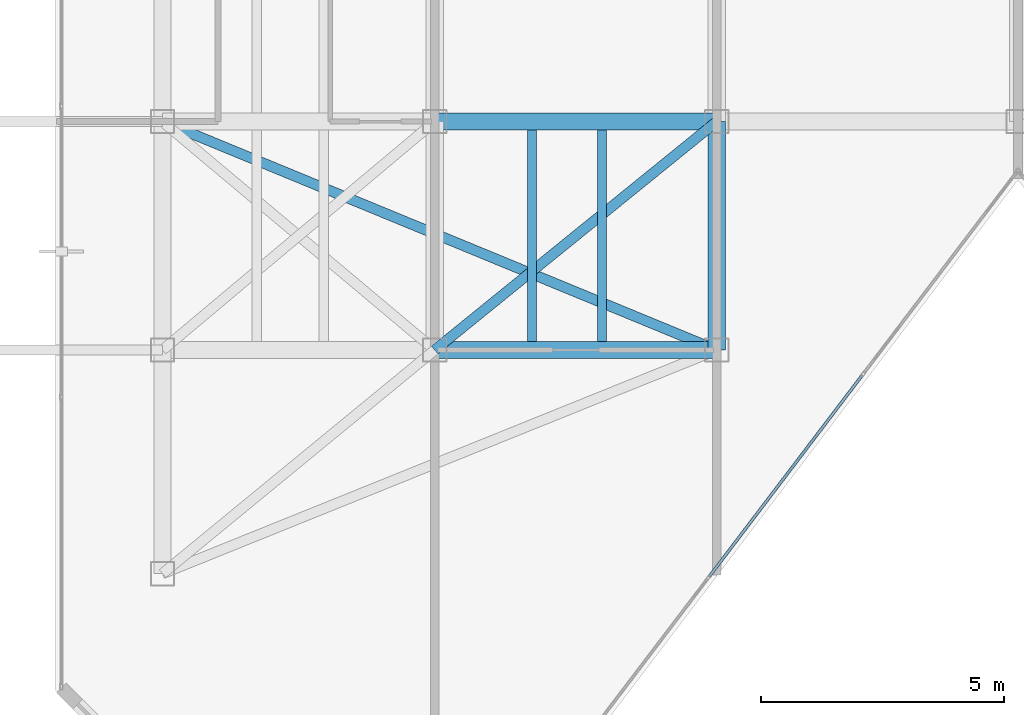
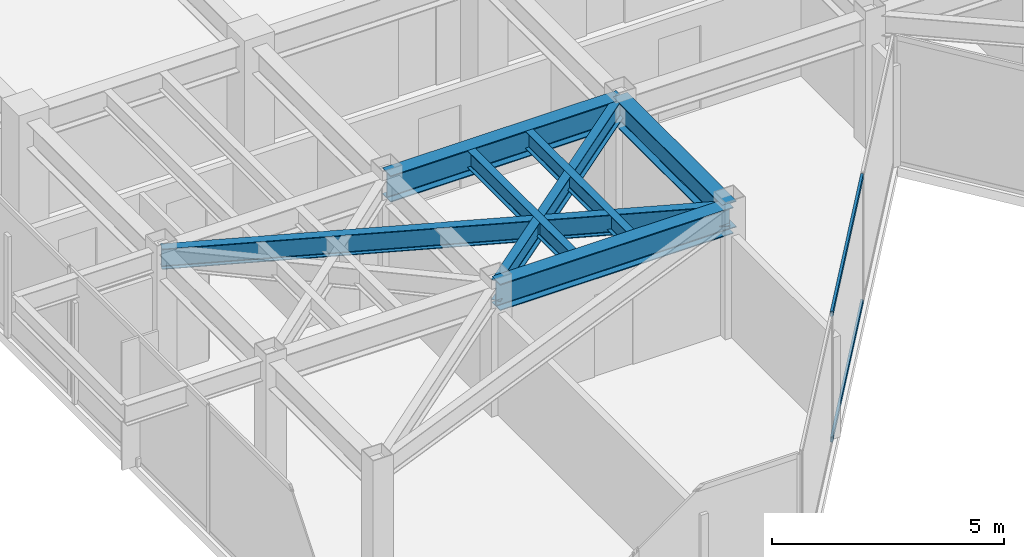
# One storey, part 6 of 20: 7 beams, 2 members, 1 element without a shape of its own.
"""IFC4 building model written with IfcOpenShell, lengths in metres."""

import ifcopenshell
import ifcopenshell.guid

model = None  # the IFC model being written
_history = None  # IfcOwnerHistory: only IFC2X3 demands one
_inside = {}  # id of a spatial element -> (the spatial element, [elements in it])
_under = {}  # id of a project, library or spatial element -> (it, [spatial elements below it])
_declared = {}  # id of a project -> (the project, [libraries it declares])
_typed = {}  # id of a type object -> (the type object, [elements of that type])
_made_of = {}  # id of a material, layer set ... -> (it, [elements and type objects made of it])


def new_model(schema):
    """Start an empty IFC model of exactly this schema.

    Asked for "IFC4X3", IfcOpenShell would pick the latest addendum, in which some entities
    have other attributes; the version numbers below select the first issue.
    IFC2X3 requires an IfcOwnerHistory on every rooted entity: one is made here for all.
    """
    global model, _history
    if schema == "IFC4X3":
        model = ifcopenshell.file(schema_version=(4, 3, 0, 0))
    else:
        model = ifcopenshell.file(schema=schema)
    _inside.clear()
    _under.clear()
    _declared.clear()
    _typed.clear()
    _made_of.clear()
    _history = None
    if model.schema == "IFC2X3":
        org = make("IfcOrganization", Name="unknown")
        user = make(
            "IfcPersonAndOrganization",
            ThePerson=make("IfcPerson", FamilyName="unknown"),
            TheOrganization=org,
        )
        app = make(
            "IfcApplication",
            ApplicationDeveloper=org,
            Version="unknown",
            ApplicationFullName="unknown",
            ApplicationIdentifier="unknown",
        )
        _history = make(
            "IfcOwnerHistory",
            OwningUser=user,
            OwningApplication=app,
            ChangeAction="ADDED",
            CreationDate=0,
        )
    return model


def make(cls, **values):
    """One entity of the class cls with the attributes given. An attribute that is None is left unset."""
    return model.create_entity(
        cls, **{name: value for name, value in values.items() if value is not None}
    )


def rooted(cls, **values):
    """An entity with a GlobalId (a new one), such as an element, a storey or a relation."""
    return make(cls, GlobalId=ifcopenshell.guid.new(), OwnerHistory=_history, **values)


def si_unit(unit_type, name, prefix=None):
    """IfcSIUnit, for example si_unit("LENGTHUNIT", "METRE", prefix="MILLI")."""
    return make("IfcSIUnit", UnitType=unit_type, Prefix=prefix, Name=name)


def assignment(units):
    """IfcUnitAssignment: the units of a project."""
    return None if units is None else make("IfcUnitAssignment", Units=units)


def point(xyz):
    """IfcCartesianPoint."""
    return None if xyz is None else make("IfcCartesianPoint", Coordinates=xyz)


def direction(xyz):
    """IfcDirection."""
    return None if xyz is None else make("IfcDirection", DirectionRatios=xyz)


def frame(location, z_axis=None, x_axis=None):
    """IfcAxis2Placement3D, a coordinate frame: its origin and axes. An axis left out is left unset."""
    return make(
        "IfcAxis2Placement3D",
        Location=point(location),
        Axis=direction(z_axis),
        RefDirection=direction(x_axis),
    )


def frame_2d(location, x_axis=None):
    """IfcAxis2Placement2D, a coordinate frame in the plane: its origin and x axis."""
    return make(
        "IfcAxis2Placement2D", Location=point(location), RefDirection=direction(x_axis)
    )


def origin():
    """The frame at (0, 0, 0) with its axes left unset."""
    return frame((0.0, 0.0, 0.0))


def origin_2d():
    """The frame at (0, 0) in the plane with its x axis left unset."""
    return frame_2d((0.0, 0.0))


def place(relative_to, where):
    """IfcLocalPlacement: puts the frame where relative to a parent placement (None: the world)."""
    return make(
        "IfcLocalPlacement", PlacementRelTo=relative_to, RelativePlacement=where
    )


def context(
    kind, dimensions, precision=None, world=None, true_north=None, identifier=None
):
    """IfcGeometricRepresentationContext, for example the 3D "Model" context."""
    return make(
        "IfcGeometricRepresentationContext",
        ContextIdentifier=identifier,
        ContextType=kind,
        CoordinateSpaceDimension=dimensions,
        Precision=precision,
        WorldCoordinateSystem=world,
        TrueNorth=true_north,
    )


def subcontext(parent, identifier, kind, view, scale=None):
    """IfcGeometricRepresentationSubContext, for example "Body" below "Model"."""
    return make(
        "IfcGeometricRepresentationSubContext",
        ContextIdentifier=identifier,
        ContextType=kind,
        ParentContext=parent,
        TargetScale=scale,
        TargetView=view,
    )


def project(units=None, contexts=None):
    """IfcProject with its units and contexts."""
    return rooted(
        "IfcProject",
        Name="project",
        RepresentationContexts=contexts,
        UnitsInContext=assignment(units),
    )


def spatial(cls, under=None, at=None, **own):
    """A site, building, storey or space (cls), placed at a placement, below another one or the project."""
    s = rooted(cls, ObjectPlacement=at, **own)
    if under is not None:
        _under.setdefault(under.id(), (under, []))[1].append(s)
    return s


def profile(cls, at=None, kind="AREA", **sizes):
    """A parametric profile (cls). Its sizes go by their IFC names, for example OverallWidth=200.0."""
    return make(cls, ProfileType=kind, Position=at, **sizes)


def hollow_rectangle(**sizes):
    """IfcRectangleHollowProfileDef."""
    return profile("IfcRectangleHollowProfileDef", **sizes)


def i_section(**sizes):
    """IfcIShapeProfileDef."""
    return profile("IfcIShapeProfileDef", **sizes)


def extrude(swept, where, along, depth):
    """IfcExtrudedAreaSolid: the profile swept, set in the frame where, extruded along a direction by depth."""
    return make(
        "IfcExtrudedAreaSolid",
        SweptArea=swept,
        Position=where,
        ExtrudedDirection=direction(along),
        Depth=depth,
    )


def shape(context_of_items, identifier, shape_type, items):
    """IfcShapeRepresentation: the items that make up one representation, for example the "Body"."""
    return make(
        "IfcShapeRepresentation",
        ContextOfItems=context_of_items,
        RepresentationIdentifier=identifier,
        RepresentationType=shape_type,
        Items=items,
    )


def material(Name=None, Category=None):
    """IfcMaterial."""
    return make("IfcMaterial", Name=Name, Category=Category)


def layer(
    of_material, thickness, ventilated=None, Name=None, Category=None, Priority=None
):
    """IfcMaterialLayer: one layer of a wall or slab, of a material (None: an air gap)."""
    return make(
        "IfcMaterialLayer",
        Material=of_material,
        LayerThickness=thickness,
        IsVentilated=ventilated,
        Name=Name,
        Category=Category,
        Priority=Priority,
    )


def layer_set(layers, Name=None):
    """IfcMaterialLayerSet."""
    return make("IfcMaterialLayerSet", MaterialLayers=layers, LayerSetName=Name)


def material_profile(
    of_material, cross_section, Name=None, Category=None, Priority=None
):
    """IfcMaterialProfile: a cross section and its material."""
    return make(
        "IfcMaterialProfile",
        Name=Name,
        Material=of_material,
        Profile=cross_section,
        Priority=Priority,
        Category=Category,
    )


def profile_set(profiles, Name=None, composite=None):
    """IfcMaterialProfileSet."""
    return make(
        "IfcMaterialProfileSet",
        Name=Name,
        MaterialProfiles=profiles,
        CompositeProfile=composite,
    )


def made_of(thing, what):
    """Note that an element or type object is made of a material, layer set ...; save() writes the relation."""
    if what is not None:
        _made_of.setdefault(what.id(), (what, []))[1].append(thing)
    return thing


def type_object(cls, material=None, **own):
    """A type object (cls), such as IfcWallType, which elements share."""
    return made_of(rooted(cls, **own), material)


def element(
    cls,
    number,
    at=None,
    inside=None,
    cuts=None,
    type_object=None,
    material=None,
    context=None,
    identifier="Body",
    shape_type=None,
    held_by="IfcProductDefinitionShape",
    body=None,
    shapes=None,
    **own,
):
    """One element of the class cls, such as IfcWall. Its Tag is "e" and its number.

    at: its placement. inside: the storey or other place that contains it. cuts: it is an
    opening in that element (IfcRelVoidsElement). A single representation is given by context,
    identifier, shape_type and body (its items); several are given by shapes. held_by: the class
    of the entity that holds the representations. save() writes the other relations.
    """
    e = rooted(cls, Tag="e%d" % number, ObjectPlacement=at, **own)
    if body is not None:
        shapes = [shape(context, identifier, shape_type, body)]
    if shapes is not None:
        e.Representation = make(held_by, Representations=shapes)
    if inside is not None:
        _inside.setdefault(inside.id(), (inside, []))[1].append(e)
    if cuts is not None:
        rooted(
            "IfcRelVoidsElement", RelatingBuildingElement=cuts, RelatedOpeningElement=e
        )
    if type_object is not None:
        _typed.setdefault(type_object.id(), (type_object, []))[1].append(e)
    return made_of(e, material)


def aggregate(whole, parts):
    """IfcRelAggregates: a whole, such as a stair, and the parts it consists of."""
    return rooted("IfcRelAggregates", RelatingObject=whole, RelatedObjects=parts)


def save(model, path):
    """Write the relations noted so far, then the file.

    IfcRelAggregates (storeys below a building ...), IfcRelContainedInSpatialStructure (elements
    in a storey), IfcRelDefinesByType, IfcRelAssociatesMaterial and IfcRelDeclares: one each for
    every whole, place, type object, material and project.
    """
    for whole, parts in _under.values():
        aggregate(whole, parts)
    for where, things in _inside.values():
        rooted(
            "IfcRelContainedInSpatialStructure",
            RelatedElements=things,
            RelatingStructure=where,
        )
    for kind, things in _typed.values():
        rooted("IfcRelDefinesByType", RelatedObjects=things, RelatingType=kind)
    for what, things in _made_of.values():
        rooted("IfcRelAssociatesMaterial", RelatedObjects=things, RelatingMaterial=what)
    for by, libraries in _declared.values():
        rooted("IfcRelDeclares", RelatingContext=by, RelatedDefinitions=libraries)
    model.write(path)


model = new_model("IFC4")

# Units and contexts
model_context = context("Model", 3, precision=1e-05, world=origin(), true_north=direction((0.0, 1.0)))
body_context = subcontext(model_context, "Body", "Model", "MODEL_VIEW")
ifc_project = project(units=[si_unit("LENGTHUNIT", "METRE"), si_unit("AREAUNIT", "SQUARE_METRE"), si_unit("VOLUMEUNIT", "CUBIC_METRE"), si_unit("PLANEANGLEUNIT", "RADIAN"), si_unit("MASSUNIT", "GRAM", prefix="KILO")], contexts=[model_context])

# Site, building, storey
site_placement = place(None, origin())
site = spatial("IfcSite", under=ifc_project, at=site_placement, CompositionType="ELEMENT")
building_placement = place(site_placement, origin())
building = spatial("IfcBuilding", under=site, at=building_placement, Name="Kravanh Interchange Tower", CompositionType="ELEMENT")
storey_placement = place(building_placement, frame((0.0, 0.0, 252.60009765625)))
storey = spatial("IfcBuildingStorey", under=building, at=storey_placement, Name="L61", CompositionType="ELEMENT", Elevation=252.60009765625)

# Curtain wall, members
ifc_material_1 = material(Name="Anodised Bronze Aluminium", Category="aluminium")
ifc_layer = layer(ifc_material_1, 0.179931640625)
ifc_layer_set = layer_set([ifc_layer], Name="Unitised Curtain Wall System CW-HTL Luxury Hotel")
curtain_wall_type = type_object("IfcCurtainWallType", Name="Unitised Curtain Wall System CW-HTL Luxury Hotel", PredefinedType="NOTDEFINED", material=ifc_layer_set)
curtain_wall_placement = place(storey_placement, origin())
curtain_wall = element("IfcCurtainWall", 1, at=curtain_wall_placement, inside=storey, type_object=curtain_wall_type, Name="L61 Unitised Curtain Wall CW-L61-05", PredefinedType="NOTDEFINED")
ifc_material_2 = material(Name="Anodised Bronze Aluminium", Category="aluminium")
ifc_material_profile_1 = material_profile(ifc_material_2, hollow_rectangle(XDim=0.06005859375, YDim=0.139892578125, WallThickness=0.00390625, at=origin_2d()), Name="ALU60X140X4")
ifc_profile_set_1 = profile_set([ifc_material_profile_1], Name="Anodised Bronze Aluminium")
member_type = type_object("IfcMemberType", Name="Curtain Wall Transom ALU60X140X4 Bronze", PredefinedType="USERDEFINED", material=ifc_profile_set_1)
member_1_placement = place(storey_placement, frame((41.595458984375, 26.28173828125, 0.02978515625), z_axis=(-0.605104668693, -0.796145928788, 0.0), x_axis=(0.796145928788, -0.605104668693, 0.0)))
member_1 = element("IfcMember", 2, at=member_1_placement, type_object=member_type, Name="CW-HTL transom 2.1", ObjectType="TRANSOM", PredefinedType="USERDEFINED", context=body_context, shape_type="SweptSolid", body=[
    extrude(hollow_rectangle(XDim=0.06005859375, YDim=0.139892578125, WallThickness=0.00390625, at=origin_2d()), origin(), (0.0, 0.0, 1.0), 5.206298828125),
])
member_2_placement = place(storey_placement, frame((41.595458984375, 26.28173828125, 3.329833984375), z_axis=(-0.605104668693, -0.796145928788, 0.0), x_axis=(0.796145928788, -0.605104668693, 0.0)))
member_2 = element("IfcMember", 3, at=member_2_placement, type_object=member_type, Name="CW-HTL transom 2.2", ObjectType="TRANSOM", PredefinedType="USERDEFINED", context=body_context, shape_type="SweptSolid", body=[
    extrude(hollow_rectangle(XDim=0.06005859375, YDim=0.139892578125, WallThickness=0.00390625, at=origin_2d()), origin(), (0.0, 0.0, 1.0), 5.206298828125),
])
aggregate(curtain_wall, [member_1, member_2])

# Beams
ifc_material_3 = material(Name="Structural Steel S355", Category="steel")
ifc_material_profile_2 = material_profile(ifc_material_3, i_section(OverallWidth=0.35498046875, OverallDepth=0.696044921875, WebThickness=0.015380859375, FlangeThickness=0.02490234375, FilletRadius=0.02392578125, at=origin_2d()), Name="W27X146")
ifc_profile_set_2 = profile_set([ifc_material_profile_2], Name="Structural Steel S355")
beam_type_1 = type_object("IfcBeamType", Name="Floor Beam W27X146 Structural Steel S355", PredefinedType="BEAM", material=ifc_profile_set_2)
beam_1_placement = place(storey_placement, frame((38.60009765625, 31.5, 3.011962890625), z_axis=(0.0, -1.0, 0.0), x_axis=(1.0, 0.0, 0.0)))
element("IfcBeam", 4, at=beam_1_placement, inside=storey, type_object=beam_type_1, Name="L61 Primary Floor Girder 17", PredefinedType="BEAM", context=body_context, shape_type="SweptSolid", body=[
    extrude(i_section(OverallWidth=0.35498046875, OverallDepth=0.696044921875, WebThickness=0.015380859375, FlangeThickness=0.02490234375, FilletRadius=0.02392578125, at=origin_2d()), origin(), (0.0, 0.0, 1.0), 4.699951171875),
])
for number, where, z_axis, x_axis, name in (
    (5, (38.60009765625, 31.5, 3.011962890625), (-1.0, 0.0, 0.0), (0.0, -1.0, 0.0), "L61 Primary Floor Girder 18"),
    (6, (38.60009765625, 26.800048828125, 3.011962890625), (-1.0, 0.0, 0.0), (0.0, -1.0, 0.0), "L61 Primary Floor Girder 29"),
):
    element("IfcBeam", number, at=place(storey_placement, frame(where, z_axis=z_axis, x_axis=x_axis)), inside=storey, type_object=beam_type_1, Name=name, PredefinedType="BEAM", context=body_context, shape_type="SweptSolid", body=[
        extrude(i_section(OverallWidth=0.35498046875, OverallDepth=0.696044921875, WebThickness=0.015380859375, FlangeThickness=0.02490234375, FilletRadius=0.02392578125, at=origin_2d()), origin(), (0.0, 0.0, 1.0), 5.800048828125),
    ])
ifc_material_4 = material(Name="Structural Steel S355", Category="steel")
ifc_material_profile_3 = material_profile(ifc_material_4, i_section(OverallWidth=0.18994140625, OverallDepth=0.45703125, WebThickness=0.009033203125, FlangeThickness=0.014404296875, FilletRadius=0.01806640625, at=origin_2d()), Name="W18X50")
ifc_profile_set_3 = profile_set([ifc_material_profile_3], Name="Structural Steel S355")
beam_type_2 = type_object("IfcBeamType", Name="Floor Joist W18X50 Structural Steel S355", PredefinedType="JOIST", material=ifc_profile_set_3)
for number, where, z_axis, x_axis, name in (
    (7, (34.800048828125, 26.972412109375, 3.13134765625), (0.0, 1.0, 0.0), (-1.0, 0.0, 0.0), "L61 Secondary Floor Joist 5"),
    (8, (36.239990234375, 26.972412109375, 3.13134765625), (0.0, 1.0, 0.0), (-1.0, 0.0, 0.0), "L61 Secondary Floor Joist 6"),
):
    element("IfcBeam", number, at=place(storey_placement, frame(where, z_axis=z_axis, x_axis=x_axis)), inside=storey, type_object=beam_type_2, Name=name, PredefinedType="JOIST", context=body_context, shape_type="SweptSolid", body=[
        extrude(i_section(OverallWidth=0.18994140625, OverallDepth=0.45703125, WebThickness=0.009033203125, FlangeThickness=0.014404296875, FilletRadius=0.01806640625, at=origin_2d()), origin(), (0.0, 0.0, 1.0), 4.35498046875),
    ])
ifc_material_5 = material(Name="Structural Steel S355", Category="steel")
ifc_material_profile_4 = material_profile(ifc_material_5, i_section(OverallWidth=0.2099609375, OverallDepth=0.537109375, WebThickness=0.010986328125, FlangeThickness=0.017333984375, FilletRadius=0.02001953125, at=origin_2d()), Name="W21X68")
ifc_profile_set_4 = profile_set([ifc_material_profile_4], Name="Structural Steel S355")
beam_type_3 = type_object("IfcBeamType", Name="Floor Spandrel W21X68 Structural Steel S355", PredefinedType="SPANDREL", material=ifc_profile_set_4)
beam_2_placement = place(storey_placement, frame((38.60009765625, 31.5, 3.09130859375), z_axis=(-0.776938619557, -0.629576350764, 0.0), x_axis=(0.629576350764, -0.776938619557, 0.0)))
element("IfcBeam", 9, at=beam_2_placement, inside=storey, type_object=beam_type_3, Name="L61 Perimeter Spandrel 20", PredefinedType="SPANDREL", context=body_context, shape_type="SweptSolid", body=[
    extrude(i_section(OverallWidth=0.2099609375, OverallDepth=0.537109375, WebThickness=0.010986328125, FlangeThickness=0.017333984375, FilletRadius=0.02001953125, at=origin_2d()), origin(), (0.0, 0.0, 1.0), 7.46533203125),
])
beam_3_placement = place(storey_placement, frame((27.199951171875, 31.5, 3.09130859375), z_axis=(0.924513176562, -0.381150083778, 0.0), x_axis=(0.381150083778, 0.924513176562, 0.0)))
element("IfcBeam", 10, at=beam_3_placement, inside=storey, type_object=beam_type_3, Name="L61 Perimeter Spandrel 28", PredefinedType="SPANDREL", context=body_context, shape_type="SweptSolid", body=[
    extrude(i_section(OverallWidth=0.2099609375, OverallDepth=0.537109375, WebThickness=0.010986328125, FlangeThickness=0.017333984375, FilletRadius=0.02001953125, at=origin_2d()), origin(), (0.0, 0.0, 1.0), 12.3310546875),
])

save(model, "model.ifc")
